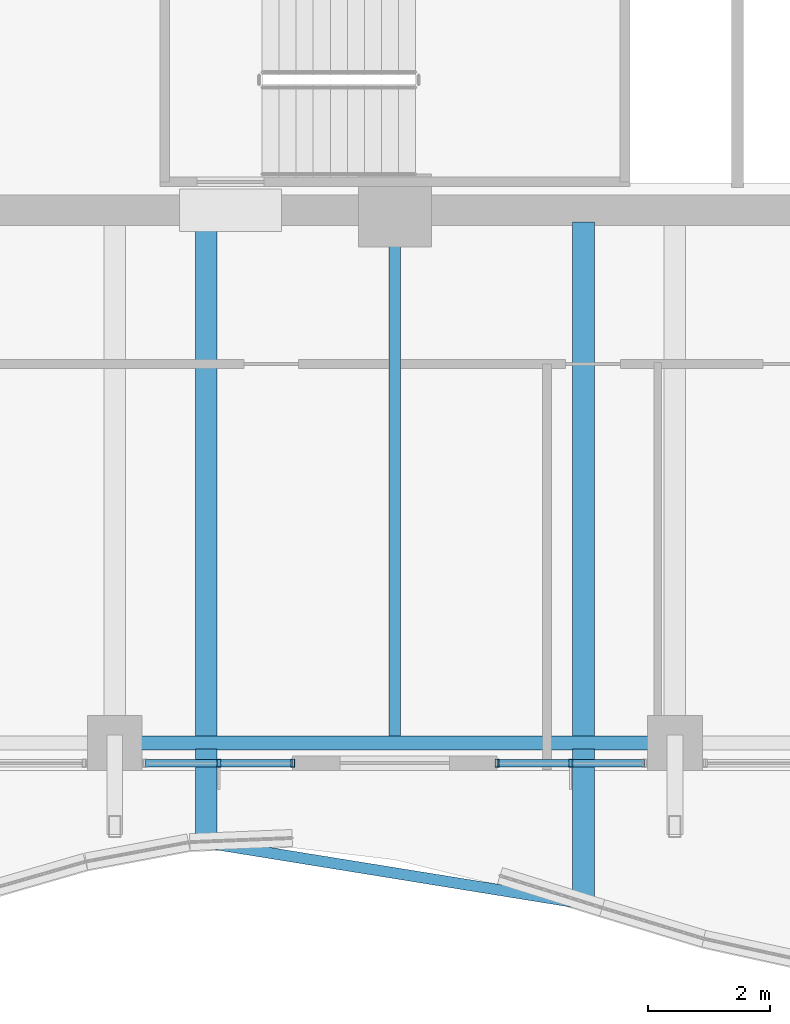
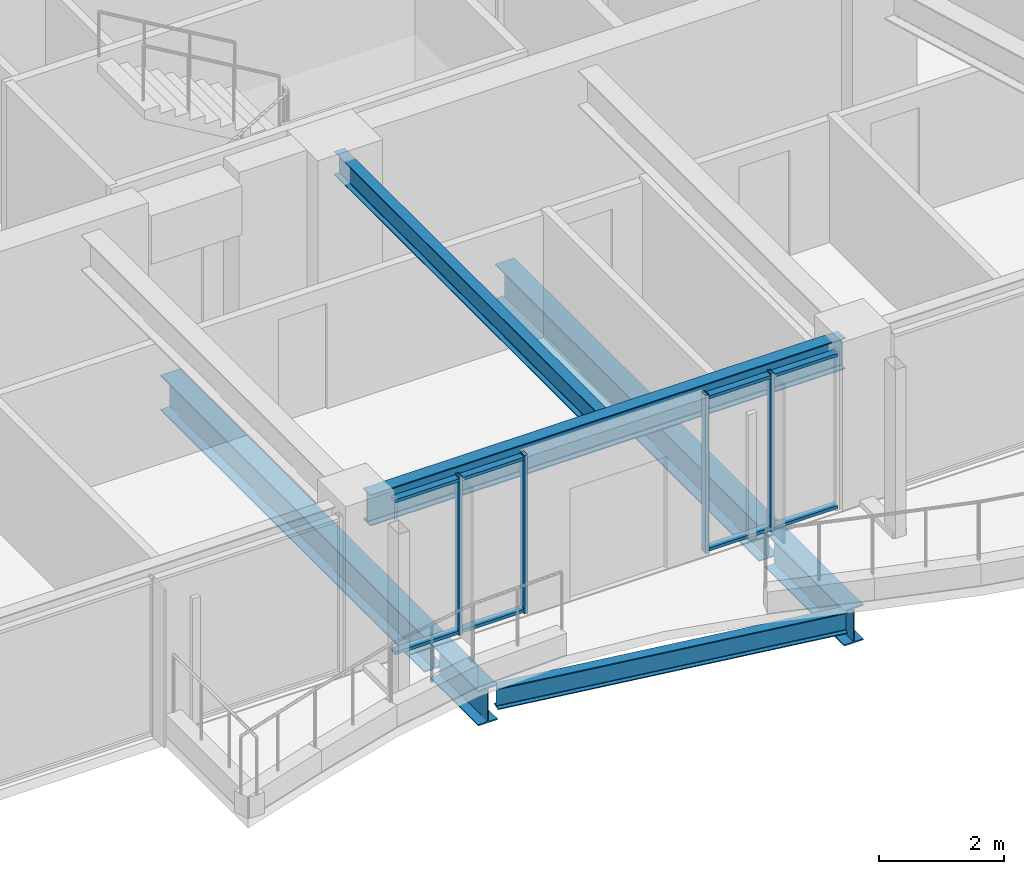
# One storey, part 5 of 32: 8 members, 7 beams, 2 elements without a shape of their own.
"""IFC4 building model written with IfcOpenShell, lengths in metres."""

from ifc_helpers import new_model, si_unit, direction, frame, origin, origin_2d, place, context, subcontext, project, spatial, hollow_rectangle, i_section, extrude, material, material_profile, profile_set, type_object, element, aggregate, save


model = new_model("IFC4")

# Units and contexts
model_context = context("Model", 3, precision=1e-05, world=origin(), true_north=direction((0.0, 1.0)))
body_context = subcontext(model_context, "Body", "Model", "MODEL_VIEW")
ifc_project = project(units=[si_unit("LENGTHUNIT", "METRE"), si_unit("AREAUNIT", "SQUARE_METRE"), si_unit("VOLUMEUNIT", "CUBIC_METRE"), si_unit("PLANEANGLEUNIT", "RADIAN"), si_unit("MASSUNIT", "GRAM", prefix="KILO")], contexts=[model_context])

# Site, building, storey
site_placement = place(None, origin())
site = spatial("IfcSite", under=ifc_project, at=site_placement, CompositionType="ELEMENT")
building_placement = place(site_placement, origin())
building = spatial("IfcBuilding", under=site, at=building_placement, Name="Kolvaren Belvedere", CompositionType="ELEMENT")
storey_placement = place(building_placement, frame((0.0, 0.0, 160.199951171875)))
storey = spatial("IfcBuildingStorey", under=building, at=storey_placement, Name="L46", CompositionType="ELEMENT", Elevation=160.199951171875)

# Beams
ifc_material_1 = material(Name="Structural steel ASTM A992 Grade 50", Category="steel")
ifc_material_profile_1 = material_profile(ifc_material_1, i_section(OverallWidth=0.35498046875, OverallDepth=0.696044921875, WebThickness=0.015380859375, FlangeThickness=0.02490234375, FilletRadius=0.02197265625, at=origin_2d()), Name="W27X146")
ifc_profile_set_1 = profile_set([ifc_material_profile_1], Name="Structural steel ASTM A992 Grade 50")
beam_type_1 = type_object("IfcBeamType", Name="BM-CANT-BAL", PredefinedType="BEAM", material=ifc_profile_set_1)
beam_1_placement = place(storey_placement, frame((-3.10009765625, -18.7451171875, -0.5478515625), z_axis=(0.0, -1.0, 0.0), x_axis=(1.0, 0.0, 0.0)))
element("IfcBeam", 1, at=beam_1_placement, inside=storey, type_object=beam_type_1, Name="L46 Planted Balcony Cantilever BAL-S-1", PredefinedType="BEAM", context=body_context, shape_type="SweptSolid", body=[
    extrude(i_section(OverallWidth=0.35498046875, OverallDepth=0.696044921875, WebThickness=0.015380859375, FlangeThickness=0.02490234375, FilletRadius=0.02197265625, at=origin_2d()), origin(), (0.0, 0.0, 1.0), 1.540283203125),
])
beam_2_placement = place(storey_placement, frame((3.10009765625, -18.7451171875, -0.5478515625), z_axis=(0.0, -1.0, 0.0), x_axis=(1.0, 0.0, 0.0)))
element("IfcBeam", 2, at=beam_2_placement, inside=storey, type_object=beam_type_1, Name="L46 Planted Balcony Cantilever BAL-S-2", PredefinedType="BEAM", context=body_context, shape_type="SweptSolid", body=[
    extrude(i_section(OverallWidth=0.35498046875, OverallDepth=0.696044921875, WebThickness=0.015380859375, FlangeThickness=0.02490234375, FilletRadius=0.02197265625, at=origin_2d()), origin(), (0.0, 0.0, 1.0), 2.541015625),
])
ifc_material_2 = material(Name="Structural steel ASTM A992 Grade 50", Category="steel")
ifc_material_profile_2 = material_profile(ifc_material_2, i_section(OverallWidth=0.180908203125, OverallDepth=0.4169921875, WebThickness=0.010986328125, FlangeThickness=0.018310546875, FilletRadius=0.013916015625, at=origin_2d()), Name="W16X57")
ifc_profile_set_2 = profile_set([ifc_material_profile_2], Name="Structural steel ASTM A992 Grade 50")
beam_type_2 = type_object("IfcBeamType", Name="BM-EDGE-W16X57", PredefinedType="BEAM", material=ifc_profile_set_2)
beam_3_placement = place(storey_placement, frame((-2.9619140625, -20.3076171875, -0.408447265625), z_axis=(0.987219034838, -0.159369310891, 0.0), x_axis=(0.159369310891, 0.987219034838, 0.0)))
element("IfcBeam", 3, at=beam_3_placement, inside=storey, type_object=beam_type_2, Name="L46 Balcony Tip Header Beam BAL-S", PredefinedType="BEAM", context=body_context, shape_type="SweptSolid", body=[
    extrude(i_section(OverallWidth=0.180908203125, OverallDepth=0.4169921875, WebThickness=0.010986328125, FlangeThickness=0.018310546875, FilletRadius=0.013916015625, at=origin_2d()), origin(), (0.0, 0.0, 1.0), 6.00048828125),
])
ifc_material_3 = material(Name="Structural steel ASTM A992 Grade 50", Category="steel")
ifc_material_profile_3 = material_profile(ifc_material_3, i_section(OverallWidth=0.35498046875, OverallDepth=0.696044921875, WebThickness=0.015380859375, FlangeThickness=0.02490234375, FilletRadius=0.02197265625, at=origin_2d()), Name="W27X146")
ifc_profile_set_3 = profile_set([ifc_material_profile_3], Name="Structural steel ASTM A992 Grade 50")
beam_type_3 = type_object("IfcBeamType", Name="BM-GIRD-W27X146", PredefinedType="BEAM", material=ifc_profile_set_3)
for number, where, z_axis, x_axis, name in (
    (4, (-3.10009765625, -10.090087890625, -0.5478515625), (0.0, -1.0, 0.0), (1.0, 0.0, 0.0), "L46 Balcony Interior Back-Span Girder BAL-S-1"),
    (5, (3.10009765625, -10.090087890625, -0.5478515625), (0.0, -1.0, 0.0), (1.0, 0.0, 0.0), "L46 Balcony Interior Back-Span Girder BAL-S-2"),
):
    element("IfcBeam", number, at=place(storey_placement, frame(where, z_axis=z_axis, x_axis=x_axis)), inside=storey, type_object=beam_type_3, Name=name, PredefinedType="BEAM", context=body_context, shape_type="SweptSolid", body=[
        extrude(i_section(OverallWidth=0.35498046875, OverallDepth=0.696044921875, WebThickness=0.015380859375, FlangeThickness=0.02490234375, FilletRadius=0.02197265625, at=origin_2d()), origin(), (0.0, 0.0, 1.0), 8.46484375),
    ])
ifc_material_4 = material(Name="Structural steel ASTM A992 Grade 50", Category="steel")
ifc_material_profile_4 = material_profile(ifc_material_4, i_section(OverallWidth=0.19091796875, OverallDepth=0.4599609375, WebThickness=0.010009765625, FlangeThickness=0.01611328125, FilletRadius=0.014892578125, at=origin_2d()), Name="W18X55")
ifc_profile_set_4 = profile_set([ifc_material_profile_4], Name="Structural steel ASTM A992 Grade 50")
beam_type_4 = type_object("IfcBeamType", Name="BM-JOIST-W18X55", PredefinedType="BEAM", material=ifc_profile_set_4)
beam_4_placement = place(storey_placement, frame((0.0, -10.14990234375, 2.8701171875), z_axis=(0.0, -1.0, 0.0), x_axis=(1.0, 0.0, 0.0)))
element("IfcBeam", 6, at=beam_4_placement, inside=storey, type_object=beam_type_4, Name="L46 South Centre Floor Beam", PredefinedType="BEAM", context=body_context, shape_type="SweptSolid", body=[
    extrude(i_section(OverallWidth=0.19091796875, OverallDepth=0.4599609375, WebThickness=0.010009765625, FlangeThickness=0.01611328125, FilletRadius=0.014892578125, at=origin_2d()), origin(), (0.0, 0.0, 1.0), 8.385498046875),
])
ifc_material_5 = material(Name="Structural steel ASTM A992 Grade 50", Category="steel")
ifc_material_profile_5 = material_profile(ifc_material_5, i_section(OverallWidth=0.22900390625, OverallDepth=0.612060546875, WebThickness=0.011962890625, FlangeThickness=0.01953125, FilletRadius=0.01806640625, at=origin_2d()), Name="W24X84")
ifc_profile_set_5 = profile_set([ifc_material_profile_5], Name="Structural steel ASTM A992 Grade 50")
beam_type_5 = type_object("IfcBeamType", Name="BM-SPAN-W24X84", PredefinedType="SPANDREL", material=ifc_profile_set_5)
beam_5_placement = place(storey_placement, frame((-4.3974609375, -18.64990234375, 2.7939453125), z_axis=(1.0, 0.0, 0.0), x_axis=(0.0, 1.0, 0.0)))
element("IfcBeam", 7, at=beam_5_placement, inside=storey, type_object=beam_type_5, Name="L46 Perimeter Spandrel S2-S3", PredefinedType="SPANDREL", context=body_context, shape_type="SweptSolid", body=[
    extrude(i_section(OverallWidth=0.22900390625, OverallDepth=0.612060546875, WebThickness=0.011962890625, FlangeThickness=0.01953125, FilletRadius=0.01806640625, at=origin_2d()), origin(), (0.0, 0.0, 1.0), 8.794921875),
])

# Curtain wall, members
ifc_material_6 = material(Name="Anodised pale-metal aluminium AA 6063-T6", Category="aluminium")
curtain_wall_type = type_object("IfcCurtainWallType", Name="CW-Z3-WAIST", PredefinedType="NOTDEFINED", material=ifc_material_6)
curtain_wall_1_placement = place(storey_placement, origin())
curtain_wall_1 = element("IfcCurtainWall", 8, at=curtain_wall_1_placement, inside=storey, type_object=curtain_wall_type, Name="L46 Unitised Curtain Wall FCW-L46-S1-B2", PredefinedType="NOTDEFINED")
ifc_material_7 = material(Name="Anodised pale-metal aluminium AA 6063-T6", Category="aluminium")
ifc_material_profile_6 = material_profile(ifc_material_7, hollow_rectangle(XDim=0.06494140625, YDim=0.1298828125, WallThickness=0.00390625, at=origin_2d()), Name="ALU-MUL-130X65")
ifc_profile_set_6 = profile_set([ifc_material_profile_6], Name="Anodised pale-metal aluminium AA 6063-T6")
member_type_1 = type_object("IfcMemberType", Name="CW-MUL-130", PredefinedType="MULLION", material=ifc_profile_set_6)
member_1_placement = place(storey_placement, frame((2.888671875, -18.97998046875, 0.0), z_axis=(0.0, 0.0, 1.0), x_axis=(1.0, 0.0, 0.0)))
member_1 = element("IfcMember", 9, at=member_1_placement, type_object=member_type_1, Name="FCW-L46-S1-B2 Unitised Mullion 2", PredefinedType="MULLION", context=body_context, shape_type="SweptSolid", body=[
    extrude(hollow_rectangle(XDim=0.06494140625, YDim=0.1298828125, WallThickness=0.00390625, at=origin_2d()), origin(), (0.0, 0.0, 1.0), 3.10009765625),
])
member_2_placement = place(storey_placement, frame((1.679931640625, -18.97998046875, 0.0), z_axis=(0.0, 0.0, 1.0), x_axis=(1.0, 0.0, 0.0)))
member_2 = element("IfcMember", 10, at=member_2_placement, type_object=member_type_1, Name="FCW-L46-S1-B2 Unitised Mullion 3", PredefinedType="MULLION", context=body_context, shape_type="SweptSolid", body=[
    extrude(hollow_rectangle(XDim=0.06494140625, YDim=0.1298828125, WallThickness=0.00390625, at=origin_2d()), origin(), (0.0, 0.0, 1.0), 3.10009765625),
])

curtain_wall_2_placement = place(storey_placement, origin())
curtain_wall_2 = element("IfcCurtainWall", 11, at=curtain_wall_2_placement, inside=storey, type_object=curtain_wall_type, Name="L46 Unitised Curtain Wall FCW-L46-S2-B1", PredefinedType="NOTDEFINED")
member_3_placement = place(storey_placement, frame((-1.679931640625, -18.97998046875, 0.0), z_axis=(0.0, 0.0, 1.0), x_axis=(1.0, 0.0, 0.0)))
member_3 = element("IfcMember", 12, at=member_3_placement, type_object=member_type_1, Name="FCW-L46-S2-B1 Unitised Mullion 1", PredefinedType="MULLION", context=body_context, shape_type="SweptSolid", body=[
    extrude(hollow_rectangle(XDim=0.06494140625, YDim=0.1298828125, WallThickness=0.00390625, at=origin_2d()), origin(), (0.0, 0.0, 1.0), 3.10009765625),
])
member_4_placement = place(storey_placement, frame((-2.888671875, -18.97998046875, 0.0), z_axis=(0.0, 0.0, 1.0), x_axis=(1.0, 0.0, 0.0)))
member_4 = element("IfcMember", 13, at=member_4_placement, type_object=member_type_1, Name="FCW-L46-S2-B1 Unitised Mullion 2", PredefinedType="MULLION", context=body_context, shape_type="SweptSolid", body=[
    extrude(hollow_rectangle(XDim=0.06494140625, YDim=0.1298828125, WallThickness=0.00390625, at=origin_2d()), origin(), (0.0, 0.0, 1.0), 3.10009765625),
])

# Member
ifc_material_8 = material(Name="Anodised pale-metal aluminium AA 6063-T6", Category="aluminium")
ifc_material_profile_7 = material_profile(ifc_material_8, hollow_rectangle(XDim=0.06005859375, YDim=0.1298828125, WallThickness=0.00390625, at=origin_2d()), Name="ALU-TRN-130X60")
ifc_profile_set_7 = profile_set([ifc_material_profile_7], Name="Anodised pale-metal aluminium AA 6063-T6")
member_type_2 = type_object("IfcMemberType", Name="CW-TRN-130", PredefinedType="USERDEFINED", material=ifc_profile_set_7)
member_5_placement = place(storey_placement, frame((4.097412109375, -18.97998046875, 0.06005859375), z_axis=(-1.0, 0.0, 0.0), x_axis=(0.0, 0.0, 1.0)))
member_5 = element("IfcMember", 14, at=member_5_placement, type_object=member_type_2, Name="FCW-L46-S1-B2 Sill Transom", ObjectType="TRANSOM", PredefinedType="USERDEFINED", context=body_context, shape_type="SweptSolid", body=[
    extrude(hollow_rectangle(XDim=0.06005859375, YDim=0.1298828125, WallThickness=0.00390625, at=origin_2d()), origin(), (0.0, 0.0, 1.0), 2.41748046875),
])

member_6_placement = place(storey_placement, frame((4.097412109375, -18.97998046875, 3.0400390625), z_axis=(-1.0, 0.0, 0.0), x_axis=(0.0, 0.0, 1.0)))
member_6 = element("IfcMember", 15, at=member_6_placement, type_object=member_type_2, Name="FCW-L46-S1-B2 Head Transom", ObjectType="TRANSOM", PredefinedType="USERDEFINED", context=body_context, shape_type="SweptSolid", body=[
    extrude(hollow_rectangle(XDim=0.06005859375, YDim=0.1298828125, WallThickness=0.00390625, at=origin_2d()), origin(), (0.0, 0.0, 1.0), 2.41748046875),
])

aggregate(curtain_wall_1, [member_1, member_2, member_5, member_6])

member_7_placement = place(storey_placement, frame((-1.679931640625, -18.97998046875, 0.06005859375), z_axis=(-1.0, 0.0, 0.0), x_axis=(0.0, 0.0, 1.0)))
member_7 = element("IfcMember", 16, at=member_7_placement, type_object=member_type_2, Name="FCW-L46-S2-B1 Sill Transom", ObjectType="TRANSOM", PredefinedType="USERDEFINED", context=body_context, shape_type="SweptSolid", body=[
    extrude(hollow_rectangle(XDim=0.06005859375, YDim=0.1298828125, WallThickness=0.00390625, at=origin_2d()), origin(), (0.0, 0.0, 1.0), 2.41748046875),
])

member_8_placement = place(storey_placement, frame((-1.679931640625, -18.97998046875, 3.0400390625), z_axis=(-1.0, 0.0, 0.0), x_axis=(0.0, 0.0, 1.0)))
member_8 = element("IfcMember", 17, at=member_8_placement, type_object=member_type_2, Name="FCW-L46-S2-B1 Head Transom", ObjectType="TRANSOM", PredefinedType="USERDEFINED", context=body_context, shape_type="SweptSolid", body=[
    extrude(hollow_rectangle(XDim=0.06005859375, YDim=0.1298828125, WallThickness=0.00390625, at=origin_2d()), origin(), (0.0, 0.0, 1.0), 2.41748046875),
])

aggregate(curtain_wall_2, [member_3, member_4, member_7, member_8])

save(model, "model.ifc")
